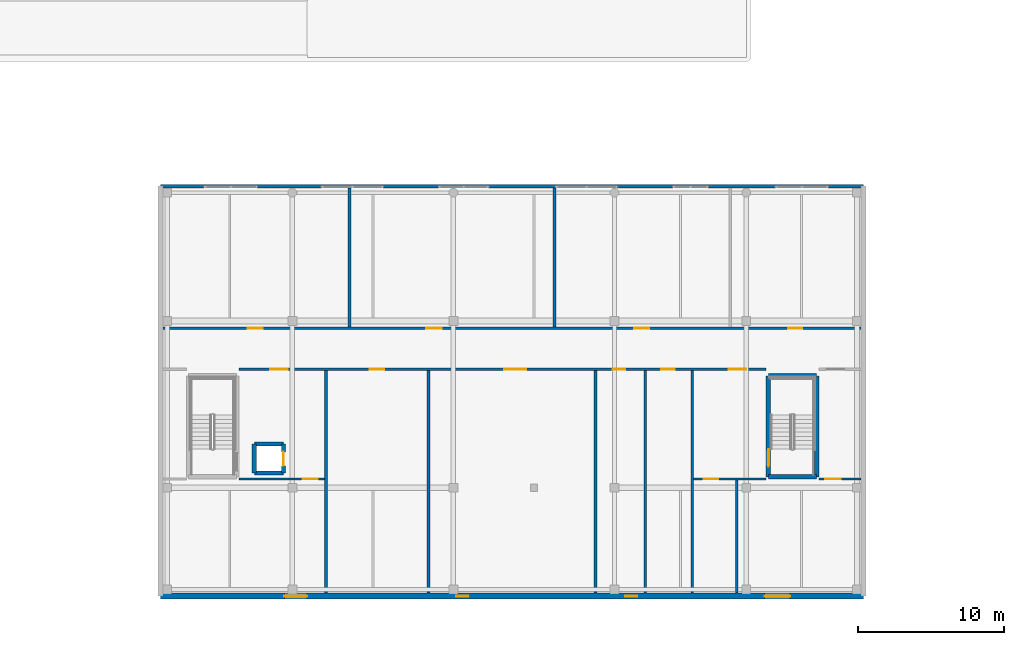
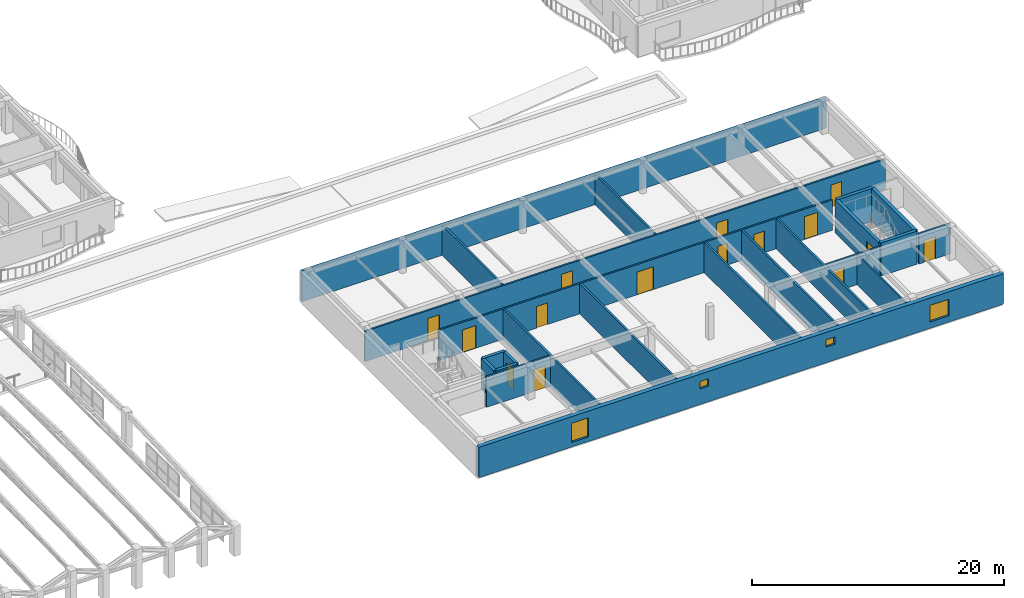
# One storey, part 95 of 128: 23 walls, 15 doors, 4 windows, 19 openings.
"""IFC4 building model written with IfcOpenShell, lengths in metres."""

import ifcopenshell
import ifcopenshell.guid

model = None  # the IFC model being written
_history = None  # IfcOwnerHistory: only IFC2X3 demands one
_inside = {}  # id of a spatial element -> (the spatial element, [elements in it])
_under = {}  # id of a project, library or spatial element -> (it, [spatial elements below it])
_declared = {}  # id of a project -> (the project, [libraries it declares])
_typed = {}  # id of a type object -> (the type object, [elements of that type])
_made_of = {}  # id of a material, layer set ... -> (it, [elements and type objects made of it])


def new_model(schema):
    """Start an empty IFC model of exactly this schema.

    Asked for "IFC4X3", IfcOpenShell would pick the latest addendum, in which some entities
    have other attributes; the version numbers below select the first issue.
    IFC2X3 requires an IfcOwnerHistory on every rooted entity: one is made here for all.
    """
    global model, _history
    if schema == "IFC4X3":
        model = ifcopenshell.file(schema_version=(4, 3, 0, 0))
    else:
        model = ifcopenshell.file(schema=schema)
    _inside.clear()
    _under.clear()
    _declared.clear()
    _typed.clear()
    _made_of.clear()
    _history = None
    if model.schema == "IFC2X3":
        org = make("IfcOrganization", Name="unknown")
        user = make(
            "IfcPersonAndOrganization",
            ThePerson=make("IfcPerson", FamilyName="unknown"),
            TheOrganization=org,
        )
        app = make(
            "IfcApplication",
            ApplicationDeveloper=org,
            Version="unknown",
            ApplicationFullName="unknown",
            ApplicationIdentifier="unknown",
        )
        _history = make(
            "IfcOwnerHistory",
            OwningUser=user,
            OwningApplication=app,
            ChangeAction="ADDED",
            CreationDate=0,
        )
    return model


def make(cls, **values):
    """One entity of the class cls with the attributes given. An attribute that is None is left unset."""
    return model.create_entity(
        cls, **{name: value for name, value in values.items() if value is not None}
    )


def rooted(cls, **values):
    """An entity with a GlobalId (a new one), such as an element, a storey or a relation."""
    return make(cls, GlobalId=ifcopenshell.guid.new(), OwnerHistory=_history, **values)


def si_unit(unit_type, name, prefix=None):
    """IfcSIUnit, for example si_unit("LENGTHUNIT", "METRE", prefix="MILLI")."""
    return make("IfcSIUnit", UnitType=unit_type, Prefix=prefix, Name=name)


def assignment(units):
    """IfcUnitAssignment: the units of a project."""
    return None if units is None else make("IfcUnitAssignment", Units=units)


def point(xyz):
    """IfcCartesianPoint."""
    return None if xyz is None else make("IfcCartesianPoint", Coordinates=xyz)


def direction(xyz):
    """IfcDirection."""
    return None if xyz is None else make("IfcDirection", DirectionRatios=xyz)


def frame(location, z_axis=None, x_axis=None):
    """IfcAxis2Placement3D, a coordinate frame: its origin and axes. An axis left out is left unset."""
    return make(
        "IfcAxis2Placement3D",
        Location=point(location),
        Axis=direction(z_axis),
        RefDirection=direction(x_axis),
    )


def frame_2d(location, x_axis=None):
    """IfcAxis2Placement2D, a coordinate frame in the plane: its origin and x axis."""
    return make(
        "IfcAxis2Placement2D", Location=point(location), RefDirection=direction(x_axis)
    )


def origin():
    """The frame at (0, 0, 0) with its axes left unset."""
    return frame((0.0, 0.0, 0.0))


def place(relative_to, where):
    """IfcLocalPlacement: puts the frame where relative to a parent placement (None: the world)."""
    return make(
        "IfcLocalPlacement", PlacementRelTo=relative_to, RelativePlacement=where
    )


def context(
    kind, dimensions, precision=None, world=None, true_north=None, identifier=None
):
    """IfcGeometricRepresentationContext, for example the 3D "Model" context."""
    return make(
        "IfcGeometricRepresentationContext",
        ContextIdentifier=identifier,
        ContextType=kind,
        CoordinateSpaceDimension=dimensions,
        Precision=precision,
        WorldCoordinateSystem=world,
        TrueNorth=true_north,
    )


def subcontext(parent, identifier, kind, view, scale=None):
    """IfcGeometricRepresentationSubContext, for example "Body" below "Model"."""
    return make(
        "IfcGeometricRepresentationSubContext",
        ContextIdentifier=identifier,
        ContextType=kind,
        ParentContext=parent,
        TargetScale=scale,
        TargetView=view,
    )


def project(units=None, contexts=None):
    """IfcProject with its units and contexts."""
    return rooted(
        "IfcProject",
        Name="project",
        RepresentationContexts=contexts,
        UnitsInContext=assignment(units),
    )


def spatial(cls, under=None, at=None, **own):
    """A site, building, storey or space (cls), placed at a placement, below another one or the project."""
    s = rooted(cls, ObjectPlacement=at, **own)
    if under is not None:
        _under.setdefault(under.id(), (under, []))[1].append(s)
    return s


def profile(cls, at=None, kind="AREA", **sizes):
    """A parametric profile (cls). Its sizes go by their IFC names, for example OverallWidth=200.0."""
    return make(cls, ProfileType=kind, Position=at, **sizes)


def rectangle(**sizes):
    """IfcRectangleProfileDef."""
    return profile("IfcRectangleProfileDef", **sizes)


def extrude(swept, where, along, depth):
    """IfcExtrudedAreaSolid: the profile swept, set in the frame where, extruded along a direction by depth."""
    return make(
        "IfcExtrudedAreaSolid",
        SweptArea=swept,
        Position=where,
        ExtrudedDirection=direction(along),
        Depth=depth,
    )


def shape(context_of_items, identifier, shape_type, items):
    """IfcShapeRepresentation: the items that make up one representation, for example the "Body"."""
    return make(
        "IfcShapeRepresentation",
        ContextOfItems=context_of_items,
        RepresentationIdentifier=identifier,
        RepresentationType=shape_type,
        Items=items,
    )


def material(Name=None, Category=None):
    """IfcMaterial."""
    return make("IfcMaterial", Name=Name, Category=Category)


def layer(
    of_material, thickness, ventilated=None, Name=None, Category=None, Priority=None
):
    """IfcMaterialLayer: one layer of a wall or slab, of a material (None: an air gap)."""
    return make(
        "IfcMaterialLayer",
        Material=of_material,
        LayerThickness=thickness,
        IsVentilated=ventilated,
        Name=Name,
        Category=Category,
        Priority=Priority,
    )


def layer_set(layers, Name=None):
    """IfcMaterialLayerSet."""
    return make("IfcMaterialLayerSet", MaterialLayers=layers, LayerSetName=Name)


def made_of(thing, what):
    """Note that an element or type object is made of a material, layer set ...; save() writes the relation."""
    if what is not None:
        _made_of.setdefault(what.id(), (what, []))[1].append(thing)
    return thing


def type_object(cls, material=None, **own):
    """A type object (cls), such as IfcWallType, which elements share."""
    return made_of(rooted(cls, **own), material)


def element(
    cls,
    number,
    at=None,
    inside=None,
    cuts=None,
    type_object=None,
    material=None,
    context=None,
    identifier="Body",
    shape_type=None,
    held_by="IfcProductDefinitionShape",
    body=None,
    shapes=None,
    **own,
):
    """One element of the class cls, such as IfcWall. Its Tag is "e" and its number.

    at: its placement. inside: the storey or other place that contains it. cuts: it is an
    opening in that element (IfcRelVoidsElement). A single representation is given by context,
    identifier, shape_type and body (its items); several are given by shapes. held_by: the class
    of the entity that holds the representations. save() writes the other relations.
    """
    e = rooted(cls, Tag="e%d" % number, ObjectPlacement=at, **own)
    if body is not None:
        shapes = [shape(context, identifier, shape_type, body)]
    if shapes is not None:
        e.Representation = make(held_by, Representations=shapes)
    if inside is not None:
        _inside.setdefault(inside.id(), (inside, []))[1].append(e)
    if cuts is not None:
        rooted(
            "IfcRelVoidsElement", RelatingBuildingElement=cuts, RelatedOpeningElement=e
        )
    if type_object is not None:
        _typed.setdefault(type_object.id(), (type_object, []))[1].append(e)
    return made_of(e, material)


def fill(opening, filler):
    """IfcRelFillsElement: the door or window that sits in an opening."""
    return rooted(
        "IfcRelFillsElement",
        RelatingOpeningElement=opening,
        RelatedBuildingElement=filler,
    )


def aggregate(whole, parts):
    """IfcRelAggregates: a whole, such as a stair, and the parts it consists of."""
    return rooted("IfcRelAggregates", RelatingObject=whole, RelatedObjects=parts)


def save(model, path):
    """Write the relations noted so far, then the file.

    IfcRelAggregates (storeys below a building ...), IfcRelContainedInSpatialStructure (elements
    in a storey), IfcRelDefinesByType, IfcRelAssociatesMaterial and IfcRelDeclares: one each for
    every whole, place, type object, material and project.
    """
    for whole, parts in _under.values():
        aggregate(whole, parts)
    for where, things in _inside.values():
        rooted(
            "IfcRelContainedInSpatialStructure",
            RelatedElements=things,
            RelatingStructure=where,
        )
    for kind, things in _typed.values():
        rooted("IfcRelDefinesByType", RelatedObjects=things, RelatingType=kind)
    for what, things in _made_of.values():
        rooted("IfcRelAssociatesMaterial", RelatedObjects=things, RelatingMaterial=what)
    for by, libraries in _declared.values():
        rooted("IfcRelDeclares", RelatingContext=by, RelatedDefinitions=libraries)
    model.write(path)


model = new_model("IFC4")

# Units and contexts
model_context = context("Model", 3, precision=1e-05, world=origin(), true_north=direction((0.0, 1.0)))
body_context = subcontext(model_context, "Body", "Model", "MODEL_VIEW")
ifc_project = project(units=[si_unit("LENGTHUNIT", "METRE"), si_unit("AREAUNIT", "SQUARE_METRE"), si_unit("VOLUMEUNIT", "CUBIC_METRE"), si_unit("PLANEANGLEUNIT", "RADIAN"), si_unit("MASSUNIT", "GRAM", prefix="KILO")], contexts=[model_context])

# Site, building, storey
site_placement = place(None, origin())
site = spatial("IfcSite", under=ifc_project, at=site_placement, CompositionType="ELEMENT")
building_placement = place(site_placement, origin())
building = spatial("IfcBuilding", under=site, at=building_placement, Name="Keldmere Railside Commons", CompositionType="ELEMENT")
storey_placement = place(building_placement, frame((0.0, 0.0, 4.159912109375)))
storey = spatial("IfcBuildingStorey", under=building, at=storey_placement, Name="L01", CompositionType="ELEMENT", Elevation=4.159912109375)

# Walls
ifc_material_1 = material(Name="Acoustic Gypsum Board Partition", Category="gypsum")
ifc_layer_1 = layer(ifc_material_1, 0.179931640625, Name="Acoustic Demising Partition 180")
ifc_layer_set_1 = layer_set([ifc_layer_1], Name="Acoustic Gypsum Board Partition")
wall_type_1 = type_object("IfcWallType", Name="Acoustic Demising Partition 180", PredefinedType="PARTITIONING", material=ifc_layer_set_1)
for number, where, z_axis, x_axis, name in (
    (1, (139.300048828125, 12.199951171875, 0.0), (0.0, 0.0, 1.0), (0.0, 1.0, 0.0), "IW-1 IW-L01-0151"),
    (2, (164.300048828125, 12.199951171875, 0.0), (0.0, 0.0, 1.0), (0.0, 1.0, 0.0), "IW-1 IW-L01-0152"),
):
    element("IfcWall", number, at=place(storey_placement, frame(where, z_axis=z_axis, x_axis=x_axis)), inside=storey, type_object=wall_type_1, Name=name, PredefinedType="PARTITIONING", context=body_context, shape_type="SweptSolid", body=[
        extrude(rectangle(XDim=15.219970703125, YDim=0.179931640625, at=frame_2d((7.60986328125, 0.0))), origin(), (0.0, 0.0, 1.0), 2.93017578125),
    ])
for number, where, z_axis, x_axis, name in (
    (3, (140.89990234375, 30.3798828125, 0.0), (0.0, 0.0, 1.0), (0.0, 1.0, 0.0), "IW-1 IW-L01-0153"),
    (4, (154.89990234375, 30.3798828125, 0.0), (0.0, 0.0, 1.0), (0.0, 1.0, 0.0), "IW-1 IW-L01-0154"),
):
    element("IfcWall", number, at=place(storey_placement, frame(where, z_axis=z_axis, x_axis=x_axis)), inside=storey, type_object=wall_type_1, Name=name, PredefinedType="PARTITIONING", context=body_context, shape_type="SweptSolid", body=[
        extrude(rectangle(XDim=9.5, YDim=0.179931640625, at=frame_2d((4.75, 0.0))), origin(), (0.0, 0.0, 1.0), 2.93017578125),
    ])
for number, where, z_axis, x_axis, name in (
    (5, (146.300048828125, 12.199951171875, 0.0), (0.0, 0.0, 1.0), (0.0, 1.0, 0.0), "IW-1 IW-L01-0156"),
    (6, (157.699951171875, 12.199951171875, 0.0), (0.0, 0.0, 1.0), (0.0, 1.0, 0.0), "IW-1 IW-L01-0157"),
    (7, (161.10009765625, 12.199951171875, 0.0), (0.0, 0.0, 1.0), (0.0, 1.0, 0.0), "IW-1 IW-L01-0158"),
):
    element("IfcWall", number, at=place(storey_placement, frame(where, z_axis=z_axis, x_axis=x_axis)), inside=storey, type_object=wall_type_1, Name=name, PredefinedType="PARTITIONING", context=body_context, shape_type="SweptSolid", body=[
        extrude(rectangle(XDim=15.219970703125, YDim=0.179931640625, at=frame_2d((7.60986328125, 0.0))), origin(), (0.0, 0.0, 1.0), 2.93017578125),
    ])

# Wall, openings, windows
ifc_material_2 = material(Name="Terracotta Brick Masonry", Category="masonry")
ifc_layer_2 = layer(ifc_material_2, 0.39990234375, Name="Civic Brick Cavity Wall 400")
ifc_layer_set_2 = layer_set([ifc_layer_2], Name="Terracotta Brick Masonry")
wall_type_2 = type_object("IfcWallType", Name="Civic Brick Cavity Wall 400", PredefinedType="SOLIDWALL", material=ifc_layer_set_2)
wall_1_placement = place(storey_placement, frame((176.0, 12.0, 0.0), z_axis=(0.0, 0.0, 1.0), x_axis=(-1.0, 0.0, 0.0)))
wall_1 = element("IfcWall", 8, at=wall_1_placement, inside=storey, type_object=wall_type_2, Name="EW-3 ARCS-L01-1013", PredefinedType="SOLIDWALL", context=body_context, shape_type="SweptSolid", body=[
    extrude(rectangle(XDim=48.0, YDim=0.39990234375, at=frame_2d((24.0, 0.0))), origin(), (0.0, 0.0, 1.0), 2.940185546875),
])
opening_1_placement = place(wall_1_placement, frame((5.0, 0.0, 0.6201171875)))
opening_1 = element("IfcOpeningElement", 9, at=opening_1_placement, cuts=wall_1, Name="Opening WN-34", PredefinedType="OPENING", context=body_context, shape_type="SweptSolid", body=[
    extrude(rectangle(XDim=1.75, YDim=1.60009765625, at=frame_2d((0.875, 0.800048828125))), frame((0.0, 0.2099609375, 0.0), z_axis=(0.0, -1.0, 0.0), x_axis=(1.0, 0.0, 0.0)), (0.0, 0.0, 1.0), 0.419921875),
])
opening_2_placement = place(wall_1_placement, frame((15.449951171875, 0.0, 1.52001953125)))
opening_2 = element("IfcOpeningElement", 10, at=opening_2_placement, cuts=wall_1, Name="Opening WN-36", PredefinedType="OPENING", context=body_context, shape_type="SweptSolid", body=[
    extrude(rectangle(XDim=0.800048828125, YDim=0.699951171875, at=frame_2d((0.39990234375, 0.35009765625))), frame((0.0, 0.2099609375, 0.0), z_axis=(0.0, -1.0, 0.0), x_axis=(1.0, 0.0, 0.0)), (0.0, 0.0, 1.0), 0.419921875),
])
opening_3_placement = place(wall_1_placement, frame((27.0, 0.0, 1.52001953125)))
opening_3 = element("IfcOpeningElement", 11, at=opening_3_placement, cuts=wall_1, Name="Opening WN-36", PredefinedType="OPENING", context=body_context, shape_type="SweptSolid", body=[
    extrude(rectangle(XDim=0.800048828125, YDim=0.699951171875, at=frame_2d((0.39990234375, 0.35009765625))), frame((0.0, 0.2099609375, 0.0), z_axis=(0.0, -1.0, 0.0), x_axis=(1.0, 0.0, 0.0)), (0.0, 0.0, 1.0), 0.419921875),
])
opening_4_placement = place(wall_1_placement, frame((38.0, 0.0, 0.449951171875)))
opening_4 = element("IfcOpeningElement", 12, at=opening_4_placement, cuts=wall_1, Name="Opening WN-35", PredefinedType="OPENING", context=body_context, shape_type="SweptSolid", body=[
    extrude(rectangle(XDim=1.550048828125, YDim=1.85009765625, at=frame_2d((0.77490234375, 0.925048828125))), frame((0.0, 0.2099609375, 0.0), z_axis=(0.0, -1.0, 0.0), x_axis=(1.0, 0.0, 0.0)), (0.0, 0.0, 1.0), 0.419921875),
])
ifc_material_3 = material(Name="Low-E Insulated Double Glazing", Category="glass")
window_type_1 = type_object("IfcWindowType", Name="Market Arcade Cafe Drum Window 1550x1850", PartitioningType="SINGLE_PANEL", PredefinedType="WINDOW", material=ifc_material_3)
window_1_placement = place(opening_4_placement, origin())
window_1 = element("IfcWindow", 13, at=window_1_placement, inside=storey, type_object=window_type_1, Name="WN-35 WIN-L01-0842", OverallHeight=1.85009765625, OverallWidth=1.550048828125, PartitioningType="SINGLE_PANEL", PredefinedType="WINDOW", context=body_context, shape_type="SweptSolid", body=[
    extrude(rectangle(XDim=1.550048828125, YDim=1.85009765625, at=frame_2d((0.77490234375, 0.925048828125))), frame((0.0, 0.030029296875, 0.0), z_axis=(0.0, -1.0, 0.0), x_axis=(1.0, 0.0, 0.0)), (0.0, 0.0, 1.0), 0.06005859375),
])
fill(opening_4, window_1)
window_type_2 = type_object("IfcWindowType", Name="Market Arcade Gallery Casement Window 1750x1600", PartitioningType="SINGLE_PANEL", PredefinedType="WINDOW", material=ifc_material_3)
window_2_placement = place(opening_1_placement, origin())
window_2 = element("IfcWindow", 14, at=window_2_placement, inside=storey, type_object=window_type_2, Name="WN-34 WIN-L01-0839", OverallHeight=1.60009765625, OverallWidth=1.75, PartitioningType="SINGLE_PANEL", PredefinedType="WINDOW", context=body_context, shape_type="SweptSolid", body=[
    extrude(rectangle(XDim=1.75, YDim=1.60009765625, at=frame_2d((0.875, 0.800048828125))), frame((0.0, 0.030029296875, 0.0), z_axis=(0.0, -1.0, 0.0), x_axis=(1.0, 0.0, 0.0)), (0.0, 0.0, 1.0), 0.06005859375),
])
fill(opening_1, window_2)
window_type_3 = type_object("IfcWindowType", Name="Public WC High Ventilation Window 800x700", PartitioningType="SINGLE_PANEL", PredefinedType="WINDOW", material=ifc_material_3)
window_3_placement = place(opening_2_placement, origin())
window_3 = element("IfcWindow", 15, at=window_3_placement, inside=storey, type_object=window_type_3, Name="WN-36 WIN-L01-0840", OverallHeight=0.699951171875, OverallWidth=0.800048828125, PartitioningType="SINGLE_PANEL", PredefinedType="WINDOW", context=body_context, shape_type="SweptSolid", body=[
    extrude(rectangle(XDim=0.800048828125, YDim=0.699951171875, at=frame_2d((0.39990234375, 0.35009765625))), frame((0.0, 0.030029296875, 0.0), z_axis=(0.0, -1.0, 0.0), x_axis=(1.0, 0.0, 0.0)), (0.0, 0.0, 1.0), 0.06005859375),
])
fill(opening_2, window_3)
window_4_placement = place(opening_3_placement, origin())
window_4 = element("IfcWindow", 16, at=window_4_placement, inside=storey, type_object=window_type_3, Name="WN-36 WIN-L01-0841", OverallHeight=0.699951171875, OverallWidth=0.800048828125, PartitioningType="SINGLE_PANEL", PredefinedType="WINDOW", context=body_context, shape_type="SweptSolid", body=[
    extrude(rectangle(XDim=0.800048828125, YDim=0.699951171875, at=frame_2d((0.39990234375, 0.35009765625))), frame((0.0, 0.030029296875, 0.0), z_axis=(0.0, -1.0, 0.0), x_axis=(1.0, 0.0, 0.0)), (0.0, 0.0, 1.0), 0.06005859375),
])
fill(opening_3, window_4)

# Wall, opening, door
ifc_material_4 = material(Name="Concrete H-35 (C35/45)", Category="concrete")
ifc_layer_3 = layer(ifc_material_4, 0.280029296875, Name="Core Shear Wall 280")
ifc_layer_set_3 = layer_set([ifc_layer_3], Name="Concrete H-35 (C35/45)")
wall_type_3 = type_object("IfcWallType", Name="Core Shear Wall 280", PredefinedType="SHEAR", material=ifc_layer_set_3)
wall_2_placement = place(storey_placement, frame((136.39990234375, 20.39990234375, 0.0), z_axis=(0.0, 0.0, 1.0), x_axis=(0.0, 1.0, 0.0)))
wall_2 = element("IfcWall", 17, at=wall_2_placement, inside=storey, type_object=wall_type_3, Name="CSW-2 ALSH-L01-1017", PredefinedType="SHEAR", context=body_context, shape_type="SweptSolid", body=[
    extrude(rectangle(XDim=2.0, YDim=0.280029296875, at=frame_2d((1.0, 0.0))), origin(), (0.0, 0.0, 1.0), 2.940185546875),
])
opening_5_placement = place(wall_2_placement, frame((0.5, 0.0, 0.0)))
opening_5 = element("IfcOpeningElement", 18, at=opening_5_placement, cuts=wall_2, Name="Opening LD-3", PredefinedType="OPENING", context=body_context, shape_type="SweptSolid", body=[
    extrude(rectangle(XDim=0.949951171875, YDim=2.14990234375, at=frame_2d((0.47509765625, 1.074951171875))), frame((0.0, 0.14990234375, 0.0), z_axis=(0.0, -1.0, 0.0), x_axis=(1.0, 0.0, 0.0)), (0.0, 0.0, 1.0), 0.300048828125),
])
ifc_material_5 = material(Name="Steel F-24 (S235)", Category="steel")
door_type_1 = type_object("IfcDoorType", Name="Civic Lift Sliding Landing Door 950x2150", OperationType="SLIDING_TO_LEFT", PredefinedType="DOOR", material=ifc_material_5)
door_1_placement = place(opening_5_placement, origin())
door_1 = element("IfcDoor", 19, at=door_1_placement, inside=storey, type_object=door_type_1, Name="LD-3 PL-M1 L01", OperationType="SLIDING_TO_LEFT", OverallHeight=2.14990234375, OverallWidth=0.949951171875, PredefinedType="DOOR", context=body_context, shape_type="SweptSolid", body=[
    extrude(rectangle(XDim=0.949951171875, YDim=2.14990234375, at=frame_2d((0.47509765625, 1.074951171875))), frame((0.0, 0.02490234375, 0.0), z_axis=(0.0, -1.0, 0.0), x_axis=(1.0, 0.0, 0.0)), (0.0, 0.0, 1.0), 0.050048828125),
])
fill(opening_5, door_1)

# Walls
for number, where, z_axis, x_axis, name in (
    (20, (134.39990234375, 20.39990234375, 0.0), (0.0, 0.0, 1.0), (0.0, 1.0, 0.0), "CSW-2 ALSHB-L01-1018"),
    (21, (134.39990234375, 20.39990234375, 0.0), (0.0, 0.0, 1.0), (1.0, 0.0, 0.0), "CSW-2 ALSHS-L01-1019"),
    (22, (134.39990234375, 22.39990234375, 0.0), (0.0, 0.0, 1.0), (1.0, 0.0, 0.0), "CSW-2 ALSHN-L01-1020"),
):
    element("IfcWall", number, at=place(storey_placement, frame(where, z_axis=z_axis, x_axis=x_axis)), inside=storey, type_object=wall_type_3, Name=name, PredefinedType="SHEAR", context=body_context, shape_type="SweptSolid", body=[
        extrude(rectangle(XDim=2.0, YDim=0.280029296875, at=frame_2d((1.0, 0.0))), origin(), (0.0, 0.0, 1.0), 2.940185546875),
    ])

# Wall, openings, doors
ifc_layer_4 = layer(ifc_material_1, 0.159912109375, Name="Corridor Fire Partition 160")
ifc_layer_set_4 = layer_set([ifc_layer_4], Name="Acoustic Gypsum Board Partition")
wall_type_4 = type_object("IfcWallType", Name="Corridor Fire Partition 160", PredefinedType="PARTITIONING", material=ifc_layer_set_4)
wall_3_placement = place(storey_placement, frame((133.35009765625, 27.5, 0.0), z_axis=(0.0, 0.0, 1.0), x_axis=(1.0, 0.0, 0.0)))
wall_3 = element("IfcWall", 23, at=wall_3_placement, inside=storey, type_object=wall_type_4, Name="IW-2 IW-L01-0148", PredefinedType="PARTITIONING", context=body_context, shape_type="SweptSolid", body=[
    extrude(rectangle(XDim=36.010009765625, YDim=0.159912109375, at=frame_2d((18.0048828125, 0.0))), origin(), (0.0, 0.0, 1.0), 2.93017578125),
])
opening_6_placement = place(wall_3_placement, frame((2.14990234375, 0.0, 0.0)))
opening_6 = element("IfcOpeningElement", 24, at=opening_6_placement, cuts=wall_3, Name="Opening FD-10", PredefinedType="OPENING", context=body_context, shape_type="SweptSolid", body=[
    extrude(rectangle(XDim=1.199951171875, YDim=2.199951171875, at=frame_2d((0.60009765625, 1.10009765625))), frame((0.0, 0.08984375, 0.0), z_axis=(0.0, -1.0, 0.0), x_axis=(1.0, 0.0, 0.0)), (0.0, 0.0, 1.0), 0.179931640625),
])
opening_7_placement = place(wall_3_placement, frame((33.449951171875, 0.0, 0.0)))
opening_7 = element("IfcOpeningElement", 25, at=opening_7_placement, cuts=wall_3, Name="Opening FD-10", PredefinedType="OPENING", context=body_context, shape_type="SweptSolid", body=[
    extrude(rectangle(XDim=1.199951171875, YDim=2.199951171875, at=frame_2d((0.60009765625, 1.10009765625))), frame((0.0, 0.08984375, 0.0), z_axis=(0.0, -1.0, 0.0), x_axis=(1.0, 0.0, 0.0)), (0.0, 0.0, 1.0), 0.179931640625),
])
opening_8_placement = place(wall_3_placement, frame((8.929931640625, 0.0, 0.0)))
opening_8 = element("IfcOpeningElement", 26, at=opening_8_placement, cuts=wall_3, Name="Opening FD-9", PredefinedType="OPENING", context=body_context, shape_type="SweptSolid", body=[
    extrude(rectangle(XDim=1.0, YDim=2.10009765625, at=frame_2d((0.5, 1.050048828125))), frame((0.0, 0.08984375, 0.0), z_axis=(0.0, -1.0, 0.0), x_axis=(1.0, 0.0, 0.0)), (0.0, 0.0, 1.0), 0.179931640625),
])
opening_9_placement = place(wall_3_placement, frame((18.1298828125, 0.0, 0.0)))
opening_9 = element("IfcOpeningElement", 27, at=opening_9_placement, cuts=wall_3, Name="Opening ID-07", PredefinedType="OPENING", context=body_context, shape_type="SweptSolid", body=[
    extrude(rectangle(XDim=1.5, YDim=2.199951171875, at=frame_2d((0.75, 1.10009765625))), frame((0.0, 0.08984375, 0.0), z_axis=(0.0, -1.0, 0.0), x_axis=(1.0, 0.0, 0.0)), (0.0, 0.0, 1.0), 0.179931640625),
])
opening_10_placement = place(wall_3_placement, frame((25.530029296875, 0.0, 0.0)))
opening_10 = element("IfcOpeningElement", 28, at=opening_10_placement, cuts=wall_3, Name="Opening ID-04", PredefinedType="OPENING", context=body_context, shape_type="SweptSolid", body=[
    extrude(rectangle(XDim=0.860107421875, YDim=2.10009765625, at=frame_2d((0.43017578125, 1.050048828125))), frame((0.0, 0.08984375, 0.0), z_axis=(0.0, -1.0, 0.0), x_axis=(1.0, 0.0, 0.0)), (0.0, 0.0, 1.0), 0.179931640625),
])
opening_11_placement = place(wall_3_placement, frame((28.830078125, 0.0, 0.0)))
opening_11 = element("IfcOpeningElement", 29, at=opening_11_placement, cuts=wall_3, Name="Opening ID-05", PredefinedType="OPENING", context=body_context, shape_type="SweptSolid", body=[
    extrude(rectangle(XDim=0.93994140625, YDim=2.10009765625, at=frame_2d((0.469970703125, 1.050048828125))), frame((0.0, 0.08984375, 0.0), z_axis=(0.0, -1.0, 0.0), x_axis=(1.0, 0.0, 0.0)), (0.0, 0.0, 1.0), 0.179931640625),
])
ifc_material_6 = material(Name="Engineered Oak Timber", Category="wood")
door_type_2 = type_object("IfcDoorType", Name="Accessible Bathroom Door 940x2100", OperationType="NOTDEFINED", PredefinedType="DOOR", material=ifc_material_6)
door_2_placement = place(opening_11_placement, origin())
door_2 = element("IfcDoor", 30, at=door_2_placement, inside=storey, type_object=door_type_2, Name="ID-05 IDR-L01-0081", OperationType="SINGLE_SWING_LEFT", OverallHeight=2.10009765625, OverallWidth=0.93994140625, PredefinedType="DOOR", context=body_context, shape_type="SweptSolid", body=[
    extrude(rectangle(XDim=0.93994140625, YDim=2.10009765625, at=frame_2d((0.469970703125, 1.050048828125))), frame((0.0, 0.02490234375, 0.0), z_axis=(0.0, -1.0, 0.0), x_axis=(1.0, 0.0, 0.0)), (0.0, 0.0, 1.0), 0.050048828125),
])
fill(opening_11, door_2)
door_type_3 = type_object("IfcDoorType", Name="Apartment Bathroom Door 860x2100", OperationType="NOTDEFINED", PredefinedType="DOOR", material=ifc_material_6)
door_3_placement = place(opening_10_placement, origin())
door_3 = element("IfcDoor", 31, at=door_3_placement, inside=storey, type_object=door_type_3, Name="ID-04 IDR-L01-0080", OperationType="SINGLE_SWING_RIGHT", OverallHeight=2.10009765625, OverallWidth=0.860107421875, PredefinedType="DOOR", context=body_context, shape_type="SweptSolid", body=[
    extrude(rectangle(XDim=0.860107421875, YDim=2.10009765625, at=frame_2d((0.43017578125, 1.050048828125))), frame((0.0, 0.02490234375, 0.0), z_axis=(0.0, -1.0, 0.0), x_axis=(1.0, 0.0, 0.0)), (0.0, 0.0, 1.0), 0.050048828125),
])
fill(opening_10, door_3)
door_type_4 = type_object("IfcDoorType", Name="Civic Core Fire Door 1200x2200", OperationType="NOTDEFINED", PredefinedType="DOOR", material=ifc_material_5)
door_4_placement = place(opening_6_placement, origin())
door_4 = element("IfcDoor", 32, at=door_4_placement, inside=storey, type_object=door_type_4, Name="FD-10 IDR-L01-0071", OperationType="SINGLE_SWING_LEFT", OverallHeight=2.199951171875, OverallWidth=1.199951171875, PredefinedType="DOOR", context=body_context, shape_type="SweptSolid", body=[
    extrude(rectangle(XDim=1.199951171875, YDim=2.199951171875, at=frame_2d((0.60009765625, 1.10009765625))), frame((0.0, 0.02490234375, 0.0), z_axis=(0.0, -1.0, 0.0), x_axis=(1.0, 0.0, 0.0)), (0.0, 0.0, 1.0), 0.050048828125),
])
fill(opening_6, door_4)
door_5_placement = place(opening_7_placement, origin())
door_5 = element("IfcDoor", 33, at=door_5_placement, inside=storey, type_object=door_type_4, Name="FD-10 IDR-L01-0072", OperationType="SINGLE_SWING_RIGHT", OverallHeight=2.199951171875, OverallWidth=1.199951171875, PredefinedType="DOOR", context=body_context, shape_type="SweptSolid", body=[
    extrude(rectangle(XDim=1.199951171875, YDim=2.199951171875, at=frame_2d((0.60009765625, 1.10009765625))), frame((0.0, 0.02490234375, 0.0), z_axis=(0.0, -1.0, 0.0), x_axis=(1.0, 0.0, 0.0)), (0.0, 0.0, 1.0), 0.050048828125),
])
fill(opening_7, door_5)
door_type_5 = type_object("IfcDoorType", Name="Resident Lounge Double Door 1500x2200", OperationType="DOUBLE_DOOR_SINGLE_SWING", PredefinedType="DOOR", material=ifc_material_6)
door_6_placement = place(opening_9_placement, origin())
door_6 = element("IfcDoor", 34, at=door_6_placement, inside=storey, type_object=door_type_5, Name="ID-07 IDR-L01-0079", OperationType="DOUBLE_DOOR_SINGLE_SWING", OverallHeight=2.199951171875, OverallWidth=1.5, PredefinedType="DOOR", context=body_context, shape_type="SweptSolid", body=[
    extrude(rectangle(XDim=1.5, YDim=2.199951171875, at=frame_2d((0.75, 1.10009765625))), frame((0.0, 0.02490234375, 0.0), z_axis=(0.0, -1.0, 0.0), x_axis=(1.0, 0.0, 0.0)), (0.0, 0.0, 1.0), 0.050048828125),
])
fill(opening_9, door_6)
door_type_6 = type_object("IfcDoorType", Name="Waste & Storage Fire Door 1000x2100", OperationType="NOTDEFINED", PredefinedType="DOOR", material=ifc_material_5)
door_7_placement = place(opening_8_placement, origin())
door_7 = element("IfcDoor", 35, at=door_7_placement, inside=storey, type_object=door_type_6, Name="FD-9 IDR-L01-0078", OperationType="SINGLE_SWING_RIGHT", OverallHeight=2.10009765625, OverallWidth=1.0, PredefinedType="DOOR", context=body_context, shape_type="SweptSolid", body=[
    extrude(rectangle(XDim=1.0, YDim=2.10009765625, at=frame_2d((0.5, 1.050048828125))), frame((0.0, 0.02490234375, 0.0), z_axis=(0.0, -1.0, 0.0), x_axis=(1.0, 0.0, 0.0)), (0.0, 0.0, 1.0), 0.050048828125),
])
fill(opening_8, door_7)

wall_4_placement = place(storey_placement, frame((128.159912109375, 30.300048828125, 0.0), z_axis=(0.0, 0.0, 1.0), x_axis=(1.0, 0.0, 0.0)))
wall_4 = element("IfcWall", 36, at=wall_4_placement, inside=storey, type_object=wall_type_4, Name="IW-2 IW-L01-0150", PredefinedType="PARTITIONING", context=body_context, shape_type="SweptSolid", body=[
    extrude(rectangle(XDim=47.68017578125, YDim=0.159912109375, at=frame_2d((23.840087890625, 0.0))), origin(), (0.0, 0.0, 1.0), 2.93017578125),
])
opening_12_placement = place(wall_4_placement, frame((5.784912109375, 0.0, 0.0)))
opening_12 = element("IfcOpeningElement", 37, at=opening_12_placement, cuts=wall_4, Name="Opening ID-14", PredefinedType="OPENING", context=body_context, shape_type="SweptSolid", body=[
    extrude(rectangle(XDim=1.0400390625, YDim=2.14990234375, at=frame_2d((0.52001953125, 1.074951171875))), frame((0.0, 0.08984375, 0.0), z_axis=(0.0, -1.0, 0.0), x_axis=(1.0, 0.0, 0.0)), (0.0, 0.0, 1.0), 0.179931640625),
])
opening_13_placement = place(wall_4_placement, frame((17.989990234375, 0.0, 0.0)))
opening_13 = element("IfcOpeningElement", 38, at=opening_13_placement, cuts=wall_4, Name="Opening ID-14", PredefinedType="OPENING", context=body_context, shape_type="SweptSolid", body=[
    extrude(rectangle(XDim=1.0400390625, YDim=2.14990234375, at=frame_2d((0.52001953125, 1.074951171875))), frame((0.0, 0.08984375, 0.0), z_axis=(0.0, -1.0, 0.0), x_axis=(1.0, 0.0, 0.0)), (0.0, 0.0, 1.0), 0.179931640625),
])
opening_14_placement = place(wall_4_placement, frame((32.18994140625, 0.0, 0.0)))
opening_14 = element("IfcOpeningElement", 39, at=opening_14_placement, cuts=wall_4, Name="Opening ID-14", PredefinedType="OPENING", context=body_context, shape_type="SweptSolid", body=[
    extrude(rectangle(XDim=1.0400390625, YDim=2.14990234375, at=frame_2d((0.52001953125, 1.074951171875))), frame((0.0, 0.08984375, 0.0), z_axis=(0.0, -1.0, 0.0), x_axis=(1.0, 0.0, 0.0)), (0.0, 0.0, 1.0), 0.179931640625),
])
opening_15_placement = place(wall_4_placement, frame((42.695068359375, 0.0, 0.0)))
opening_15 = element("IfcOpeningElement", 40, at=opening_15_placement, cuts=wall_4, Name="Opening ID-08", PredefinedType="OPENING", context=body_context, shape_type="SweptSolid", body=[
    extrude(rectangle(XDim=0.9599609375, YDim=2.14990234375, at=frame_2d((0.47998046875, 1.074951171875))), frame((0.0, 0.08984375, 0.0), z_axis=(0.0, -1.0, 0.0), x_axis=(1.0, 0.0, 0.0)), (0.0, 0.0, 1.0), 0.179931640625),
])
door_type_7 = type_object("IfcDoorType", Name="Market Shop Back-of-House Door 1040x2150", OperationType="NOTDEFINED", PredefinedType="DOOR", material=ifc_material_5)
door_8_placement = place(opening_12_placement, origin())
door_8 = element("IfcDoor", 41, at=door_8_placement, inside=storey, type_object=door_type_7, Name="ID-14 IDR-L01-0074", OperationType="SINGLE_SWING_RIGHT", OverallHeight=2.14990234375, OverallWidth=1.0400390625, PredefinedType="DOOR", context=body_context, shape_type="SweptSolid", body=[
    extrude(rectangle(XDim=1.0400390625, YDim=2.14990234375, at=frame_2d((0.52001953125, 1.074951171875))), frame((0.0, 0.02490234375, 0.0), z_axis=(0.0, -1.0, 0.0), x_axis=(1.0, 0.0, 0.0)), (0.0, 0.0, 1.0), 0.050048828125),
])
fill(opening_12, door_8)
door_9_placement = place(opening_13_placement, origin())
door_9 = element("IfcDoor", 42, at=door_9_placement, inside=storey, type_object=door_type_7, Name="ID-14 IDR-L01-0075", OperationType="SINGLE_SWING_LEFT", OverallHeight=2.14990234375, OverallWidth=1.0400390625, PredefinedType="DOOR", context=body_context, shape_type="SweptSolid", body=[
    extrude(rectangle(XDim=1.0400390625, YDim=2.14990234375, at=frame_2d((0.52001953125, 1.074951171875))), frame((0.0, 0.02490234375, 0.0), z_axis=(0.0, -1.0, 0.0), x_axis=(1.0, 0.0, 0.0)), (0.0, 0.0, 1.0), 0.050048828125),
])
fill(opening_13, door_9)
door_10_placement = place(opening_14_placement, origin())
door_10 = element("IfcDoor", 43, at=door_10_placement, inside=storey, type_object=door_type_7, Name="ID-14 IDR-L01-0076", OperationType="SINGLE_SWING_RIGHT", OverallHeight=2.14990234375, OverallWidth=1.0400390625, PredefinedType="DOOR", context=body_context, shape_type="SweptSolid", body=[
    extrude(rectangle(XDim=1.0400390625, YDim=2.14990234375, at=frame_2d((0.52001953125, 1.074951171875))), frame((0.0, 0.02490234375, 0.0), z_axis=(0.0, -1.0, 0.0), x_axis=(1.0, 0.0, 0.0)), (0.0, 0.0, 1.0), 0.050048828125),
])
fill(opening_14, door_10)
door_type_8 = type_object("IfcDoorType", Name="Study & Meeting Room Door 960x2150", OperationType="NOTDEFINED", PredefinedType="DOOR", material=ifc_material_6)
door_11_placement = place(opening_15_placement, origin())
door_11 = element("IfcDoor", 44, at=door_11_placement, inside=storey, type_object=door_type_8, Name="ID-08 IDR-L01-0077", OperationType="SINGLE_SWING_LEFT", OverallHeight=2.14990234375, OverallWidth=0.9599609375, PredefinedType="DOOR", context=body_context, shape_type="SweptSolid", body=[
    extrude(rectangle(XDim=0.9599609375, YDim=2.14990234375, at=frame_2d((0.47998046875, 1.074951171875))), frame((0.0, 0.02490234375, 0.0), z_axis=(0.0, -1.0, 0.0), x_axis=(1.0, 0.0, 0.0)), (0.0, 0.0, 1.0), 0.050048828125),
])
fill(opening_15, door_11)

# Wall, opening, door
wall_5_placement = place(storey_placement, frame((133.35009765625, 20.0, 0.0), z_axis=(0.0, 0.0, 1.0), x_axis=(1.0, 0.0, 0.0)))
wall_5 = element("IfcWall", 45, at=wall_5_placement, inside=storey, type_object=wall_type_4, Name="IW-2 IW-L01-0160", PredefinedType="PARTITIONING", context=body_context, shape_type="SweptSolid", body=[
    extrude(rectangle(XDim=5.85986328125, YDim=0.159912109375, at=frame_2d((2.929931640625, 0.0))), origin(), (0.0, 0.0, 1.0), 2.93017578125),
])
opening_16_placement = place(wall_5_placement, frame((4.360107421875, 0.0, 0.0)))
opening_16 = element("IfcOpeningElement", 46, at=opening_16_placement, cuts=wall_5, Name="Opening ID-14", PredefinedType="OPENING", context=body_context, shape_type="SweptSolid", body=[
    extrude(rectangle(XDim=1.0400390625, YDim=2.14990234375, at=frame_2d((0.52001953125, 1.074951171875))), frame((0.0, 0.08984375, 0.0), z_axis=(0.0, -1.0, 0.0), x_axis=(1.0, 0.0, 0.0)), (0.0, 0.0, 1.0), 0.179931640625),
])
door_12_placement = place(opening_16_placement, origin())
door_12 = element("IfcDoor", 47, at=door_12_placement, inside=storey, type_object=door_type_7, Name="ID-14 IDR-L01-0082", OperationType="SINGLE_SWING_RIGHT", OverallHeight=2.14990234375, OverallWidth=1.0400390625, PredefinedType="DOOR", context=body_context, shape_type="SweptSolid", body=[
    extrude(rectangle(XDim=1.0400390625, YDim=2.14990234375, at=frame_2d((0.52001953125, 1.074951171875))), frame((0.0, 0.02490234375, 0.0), z_axis=(0.0, -1.0, 0.0), x_axis=(1.0, 0.0, 0.0)), (0.0, 0.0, 1.0), 0.050048828125),
])
fill(opening_16, door_12)

wall_6_placement = place(storey_placement, frame((164.389892578125, 20.0, 0.0), z_axis=(0.0, 0.0, 1.0), x_axis=(1.0, 0.0, 0.0)))
wall_6 = element("IfcWall", 48, at=wall_6_placement, inside=storey, type_object=wall_type_4, Name="IW-2 IW-L01-0161", PredefinedType="PARTITIONING", context=body_context, shape_type="SweptSolid", body=[
    extrude(rectangle(XDim=4.97021484375, YDim=0.159912109375, at=frame_2d((2.485107421875, 0.0))), origin(), (0.0, 0.0, 1.0), 2.93017578125),
])
opening_17_placement = place(wall_6_placement, frame((0.699951171875, 0.0, 0.0)))
opening_17 = element("IfcOpeningElement", 49, at=opening_17_placement, cuts=wall_6, Name="Opening FD-9", PredefinedType="OPENING", context=body_context, shape_type="SweptSolid", body=[
    extrude(rectangle(XDim=1.0, YDim=2.10009765625, at=frame_2d((0.5, 1.050048828125))), frame((0.0, 0.08984375, 0.0), z_axis=(0.0, -1.0, 0.0), x_axis=(1.0, 0.0, 0.0)), (0.0, 0.0, 1.0), 0.179931640625),
])
door_13_placement = place(opening_17_placement, origin())
door_13 = element("IfcDoor", 50, at=door_13_placement, inside=storey, type_object=door_type_6, Name="FD-9 IDR-L01-0083", OperationType="SINGLE_SWING_LEFT", OverallHeight=2.10009765625, OverallWidth=1.0, PredefinedType="DOOR", context=body_context, shape_type="SweptSolid", body=[
    extrude(rectangle(XDim=1.0, YDim=2.10009765625, at=frame_2d((0.5, 1.050048828125))), frame((0.0, 0.02490234375, 0.0), z_axis=(0.0, -1.0, 0.0), x_axis=(1.0, 0.0, 0.0)), (0.0, 0.0, 1.0), 0.050048828125),
])
fill(opening_17, door_13)

wall_7_placement = place(storey_placement, frame((172.949951171875, 20.0, 0.0), z_axis=(0.0, 0.0, 1.0), x_axis=(1.0, 0.0, 0.0)))
wall_7 = element("IfcWall", 51, at=wall_7_placement, inside=storey, type_object=wall_type_4, Name="IW-2 IW-L01-0162", PredefinedType="PARTITIONING", context=body_context, shape_type="SweptSolid", body=[
    extrude(rectangle(XDim=2.89013671875, YDim=0.159912109375, at=frame_2d((1.445068359375, 0.0))), origin(), (0.0, 0.0, 1.0), 2.93017578125),
])
opening_18_placement = place(wall_7_placement, frame((0.449951171875, 0.0, 0.0)))
opening_18 = element("IfcOpeningElement", 52, at=opening_18_placement, cuts=wall_7, Name="Opening ID-14", PredefinedType="OPENING", context=body_context, shape_type="SweptSolid", body=[
    extrude(rectangle(XDim=1.0400390625, YDim=2.14990234375, at=frame_2d((0.52001953125, 1.074951171875))), frame((0.0, 0.08984375, 0.0), z_axis=(0.0, -1.0, 0.0), x_axis=(1.0, 0.0, 0.0)), (0.0, 0.0, 1.0), 0.179931640625),
])
door_14_placement = place(opening_18_placement, origin())
door_14 = element("IfcDoor", 53, at=door_14_placement, inside=storey, type_object=door_type_7, Name="ID-14 IDR-L01-0084", OperationType="SINGLE_SWING_RIGHT", OverallHeight=2.14990234375, OverallWidth=1.0400390625, PredefinedType="DOOR", context=body_context, shape_type="SweptSolid", body=[
    extrude(rectangle(XDim=1.0400390625, YDim=2.14990234375, at=frame_2d((0.52001953125, 1.074951171875))), frame((0.0, 0.02490234375, 0.0), z_axis=(0.0, -1.0, 0.0), x_axis=(1.0, 0.0, 0.0)), (0.0, 0.0, 1.0), 0.050048828125),
])
fill(opening_18, door_14)

# Walls
ifc_layer_5 = layer(ifc_material_4, 0.300048828125, Name="Interior Shear Wall 300")
ifc_layer_set_5 = layer_set([ifc_layer_5], Name="Concrete H-35 (C35/45)")
wall_type_5 = type_object("IfcWallType", Name="Interior Shear Wall 300", PredefinedType="SHEAR", material=ifc_layer_set_5)
wall_8_placement = place(storey_placement, frame((172.800048828125, 20.14990234375, 0.0), z_axis=(0.0, 0.0, 1.0), x_axis=(-1.0, 0.0, 0.0)))
element("IfcWall", 54, at=wall_8_placement, inside=storey, type_object=wall_type_5, Name="ISW-2 WAL-ST-M2-L01-S", PredefinedType="SHEAR", context=body_context, shape_type="SweptSolid", body=[
    extrude(rectangle(XDim=3.2900390625, YDim=0.300048828125, at=frame_2d((1.64501953125, 0.0))), origin(), (0.0, 0.0, 1.0), 3.2001953125),
])
wall_9_placement = place(storey_placement, frame((172.800048828125, 27.050048828125, 0.0), z_axis=(0.0, 0.0, 1.0), x_axis=(0.0, -1.0, 0.0)))
element("IfcWall", 55, at=wall_9_placement, inside=storey, type_object=wall_type_5, Name="ISW-2 WAL-ST-M2-L01-E", PredefinedType="SHEAR", context=body_context, shape_type="SweptSolid", body=[
    extrude(rectangle(XDim=6.900146484375, YDim=0.300048828125, at=frame_2d((3.4501953125, 0.0))), origin(), (0.0, 0.0, 1.0), 3.2001953125),
])
wall_10_placement = place(storey_placement, frame((169.510009765625, 27.050048828125, 0.0), z_axis=(0.0, 0.0, 1.0), x_axis=(1.0, 0.0, 0.0)))
element("IfcWall", 56, at=wall_10_placement, inside=storey, type_object=wall_type_5, Name="ISW-2 WAL-ST-M2-L01-N", PredefinedType="SHEAR", context=body_context, shape_type="SweptSolid", body=[
    extrude(rectangle(XDim=3.2900390625, YDim=0.300048828125, at=frame_2d((1.64501953125, 0.0))), origin(), (0.0, 0.0, 1.0), 3.2001953125),
])

# Wall, opening, door
wall_11_placement = place(storey_placement, frame((169.510009765625, 20.14990234375, 0.0), z_axis=(0.0, 0.0, 1.0), x_axis=(0.0, 1.0, 0.0)))
wall_11 = element("IfcWall", 57, at=wall_11_placement, inside=storey, type_object=wall_type_5, Name="ISW-2 WAL-ST-M2-L01-W", PredefinedType="SHEAR", context=body_context, shape_type="SweptSolid", body=[
    extrude(rectangle(XDim=6.900146484375, YDim=0.300048828125, at=frame_2d((3.4501953125, 0.0))), origin(), (0.0, 0.0, 1.0), 3.2001953125),
])
opening_19_placement = place(wall_11_placement, frame((0.699951171875, 0.0, 0.0)))
opening_19 = element("IfcOpeningElement", 58, at=opening_19_placement, cuts=wall_11, Name="Opening FD-10", PredefinedType="OPENING", context=body_context, shape_type="SweptSolid", body=[
    extrude(rectangle(XDim=1.199951171875, YDim=2.199951171875, at=frame_2d((0.60009765625, 1.10009765625))), frame((0.0, 0.159912109375, 0.0), z_axis=(0.0, -1.0, 0.0), x_axis=(1.0, 0.0, 0.0)), (0.0, 0.0, 1.0), 0.320068359375),
])
door_15_placement = place(opening_19_placement, origin())
door_15 = element("IfcDoor", 59, at=door_15_placement, inside=storey, type_object=door_type_4, Name="FD-3 ST-M2 L01", OperationType="SINGLE_SWING_LEFT", OverallHeight=2.199951171875, OverallWidth=1.199951171875, PredefinedType="DOOR", context=body_context, shape_type="SweptSolid", body=[
    extrude(rectangle(XDim=1.199951171875, YDim=2.199951171875, at=frame_2d((0.60009765625, 1.10009765625))), frame((0.0, 0.02490234375, 0.0), z_axis=(0.0, -1.0, 0.0), x_axis=(1.0, 0.0, 0.0)), (0.0, 0.0, 1.0), 0.050048828125),
])
fill(opening_19, door_15)

# Walls
ifc_material_7 = material(Name="Architectural Precast Concrete H-35 (C35/45)", Category="concrete")
ifc_layer_6 = layer(ifc_material_7, 0.239990234375, Name="Sand-Ochre Precast Cavity Wall 240")
ifc_layer_set_6 = layer_set([ifc_layer_6], Name="Architectural Precast Concrete H-35 (C35/45)")
wall_type_6 = type_object("IfcWallType", Name="Sand-Ochre Precast Cavity Wall 240", PredefinedType="SOLIDWALL", material=ifc_layer_set_6)
wall_12_placement = place(storey_placement, frame((128.0, 40.0, 0.0), z_axis=(0.0, 0.0, 1.0), x_axis=(1.0, 0.0, 0.0)))
element("IfcWall", 60, at=wall_12_placement, inside=storey, type_object=wall_type_6, Name="EW-2 ARCN-L01-1015", PredefinedType="SOLIDWALL", context=body_context, shape_type="SweptSolid", body=[
    extrude(rectangle(XDim=48.0, YDim=0.239990234375, at=frame_2d((24.0, 0.0))), origin(), (0.0, 0.0, 1.0), 2.940185546875),
])
ifc_layer_7 = layer(ifc_material_1, 0.139892578125, Name="Wet-Room Sanitary Partition 140")
ifc_layer_set_7 = layer_set([ifc_layer_7], Name="Acoustic Gypsum Board Partition")
wall_type_7 = type_object("IfcWallType", Name="Wet-Room Sanitary Partition 140", PredefinedType="PARTITIONING", material=ifc_layer_set_7)
wall_13_placement = place(storey_placement, frame((167.35009765625, 12.199951171875, 0.0), z_axis=(0.0, 0.0, 1.0), x_axis=(0.0, 1.0, 0.0)))
element("IfcWall", 61, at=wall_13_placement, inside=storey, type_object=wall_type_7, Name="IW-5 IW-L01-0163", PredefinedType="PARTITIONING", context=body_context, shape_type="SweptSolid", body=[
    extrude(rectangle(XDim=7.719970703125, YDim=0.139892578125, at=frame_2d((3.85986328125, 0.0))), origin(), (0.0, 0.0, 1.0), 2.93017578125),
])

save(model, "model.ifc")
